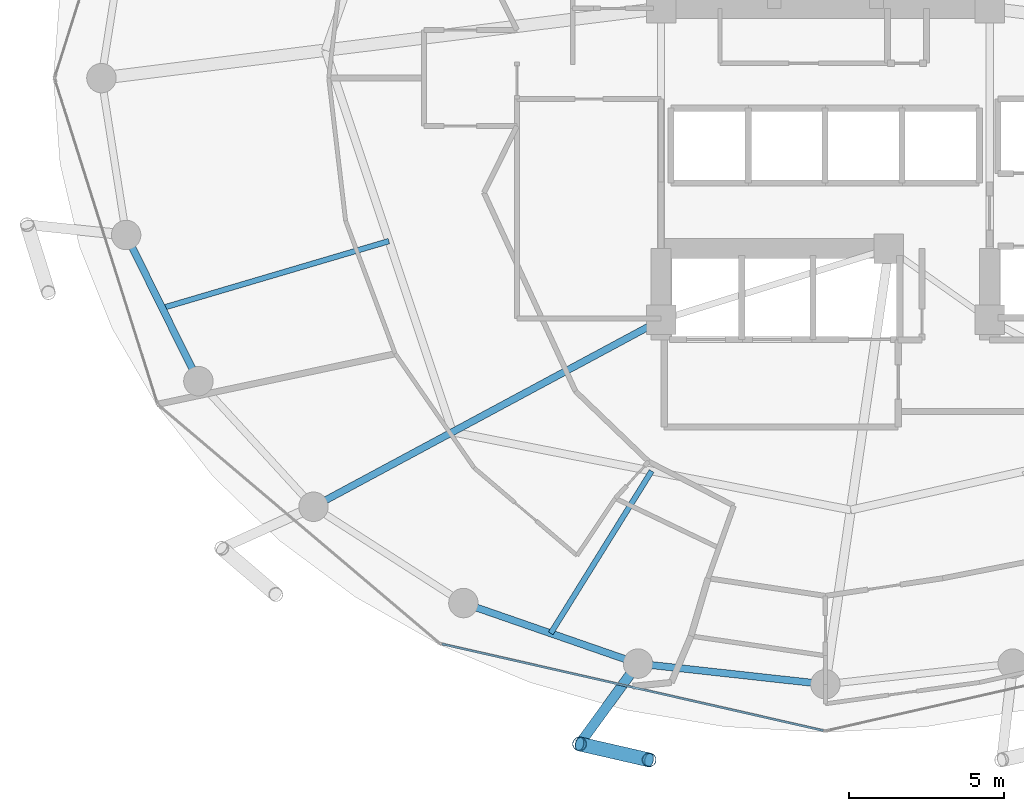
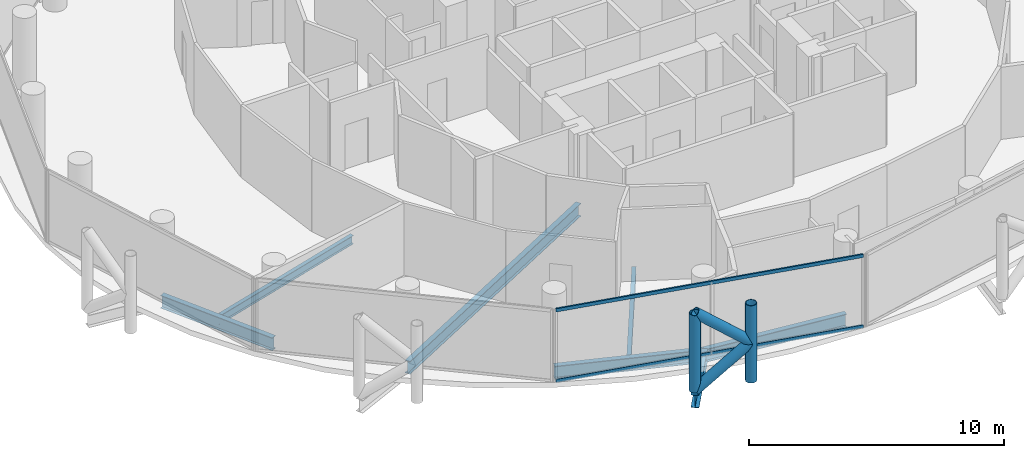
# One storey, part 3 of 26: 7 beams, 6 members, 1 element without a shape of its own.
"""IFC4 building model written with IfcOpenShell, lengths in metres."""

from ifc_helpers import new_model, si_unit, direction, frame, origin, origin_2d, place, context, subcontext, project, spatial, hollow_rectangle, hollow_circle, i_section, extrude, material, layer, layer_set, material_profile, profile_set, type_object, element, aggregate, save


model = new_model("IFC4")

# Units and contexts
model_context = context("Model", 3, precision=1e-05, world=origin(), true_north=direction((0.0, 1.0)))
body_context = subcontext(model_context, "Body", "Model", "MODEL_VIEW")
ifc_project = project(units=[si_unit("LENGTHUNIT", "METRE"), si_unit("AREAUNIT", "SQUARE_METRE"), si_unit("VOLUMEUNIT", "CUBIC_METRE"), si_unit("PLANEANGLEUNIT", "RADIAN"), si_unit("MASSUNIT", "GRAM", prefix="KILO")], contexts=[model_context])

# Site, building, storey
site_placement = place(None, origin())
site = spatial("IfcSite", under=ifc_project, at=site_placement, CompositionType="ELEMENT")
building_placement = place(site_placement, origin())
building = spatial("IfcBuilding", under=site, at=building_placement, Name="Nuhasar Tower", CompositionType="ELEMENT")
storey_placement = place(building_placement, frame((0.0, 0.0, 188.550048828125)))
storey = spatial("IfcBuildingStorey", under=building, at=storey_placement, Name="L46", CompositionType="ELEMENT", Elevation=188.550048828125)

# Beams
ifc_material_1 = material(Name="Steel S355", Category="steel")
ifc_material_profile_1 = material_profile(ifc_material_1, i_section(OverallWidth=0.177978515625, OverallDepth=0.406005859375, WebThickness=0.0078125, FlangeThickness=0.0126953125, at=origin_2d()), Name="W16X40")
ifc_profile_set_1 = profile_set([ifc_material_profile_1], Name="Steel S355")
beam_type_1 = type_object("IfcBeamType", Name="BM-JST-W16X40", PredefinedType="JOIST", material=ifc_profile_set_1)
beam_1_placement = place(storey_placement, frame((33.39697265625, 14.1279296875, -0.453125), z_axis=(-0.528139463011, -0.849157645912, 0.0), x_axis=(0.849157645912, -0.528139463011, 0.0)))
element("IfcBeam", 1, at=beam_1_placement, inside=storey, type_object=beam_type_1, Name="L46 Secondary Floor Joist 01", PredefinedType="JOIST", context=body_context, shape_type="SweptSolid", body=[
    extrude(i_section(OverallWidth=0.177978515625, OverallDepth=0.406005859375, WebThickness=0.0078125, FlangeThickness=0.0126953125, at=origin_2d()), origin(), (0.0, 0.0, 1.0), 6.164794921875),
])
beam_2_placement = place(storey_placement, frame((24.922119140625, 21.54296875, -0.453125), z_axis=(-0.959013356257, -0.283360869775, 0.0), x_axis=(0.283360869775, -0.959013356257, 0.0)))
element("IfcBeam", 2, at=beam_2_placement, inside=storey, type_object=beam_type_1, Name="L46 Secondary Floor Joist 08", PredefinedType="JOIST", context=body_context, shape_type="SweptSolid", body=[
    extrude(i_section(OverallWidth=0.177978515625, OverallDepth=0.406005859375, WebThickness=0.0078125, FlangeThickness=0.0126953125, at=origin_2d()), origin(), (0.0, 0.0, 1.0), 7.62255859375),
])
ifc_material_profile_2 = material_profile(ifc_material_1, i_section(OverallWidth=0.22900390625, OverallDepth=0.612060546875, WebThickness=0.011962890625, FlangeThickness=0.01953125, at=origin_2d()), Name="W24X84")
ifc_profile_set_2 = profile_set([ifc_material_profile_2], Name="Steel S355")
beam_type_2 = type_object("IfcBeamType", Name="BM-RAD-W24X84", PredefinedType="BEAM", material=ifc_profile_set_2)
beam_3_placement = place(storey_placement, frame((33.699951171875, 19.0, -0.55615234375), z_axis=(-0.880888386928, -0.473324043098, 0.0), x_axis=(0.473324043098, -0.880888386928, 0.0)))
element("IfcBeam", 3, at=beam_3_placement, inside=storey, type_object=beam_type_2, Name="L46 Radial Floor Girder 01", PredefinedType="BEAM", context=body_context, shape_type="SweptSolid", body=[
    extrude(i_section(OverallWidth=0.22900390625, OverallDepth=0.612060546875, WebThickness=0.011962890625, FlangeThickness=0.01953125, at=origin_2d()), origin(), (0.0, 0.0, 1.0), 12.726806640625),
])
ifc_material_profile_3 = material_profile(ifc_material_1, i_section(OverallWidth=0.22998046875, OverallDepth=0.616943359375, WebThickness=0.01318359375, FlangeThickness=0.022216796875, at=origin_2d()), Name="W24X94")
ifc_profile_set_3 = profile_set([ifc_material_profile_3], Name="Steel S355")
beam_type_3 = type_object("IfcBeamType", Name="BM-RING-W24X94", PredefinedType="SPANDREL", material=ifc_profile_set_3)
beam_4_placement = place(storey_placement, frame((16.446044921875, 21.739990234375, -0.55810546875), z_axis=(0.443329327657, -0.896358804966, 0.0), x_axis=(0.896358804966, 0.443329327657, 0.0)))
element("IfcBeam", 4, at=beam_4_placement, inside=storey, type_object=beam_type_3, Name="L46 Perimeter Ring Spandrel 14", PredefinedType="SPANDREL", context=body_context, shape_type="SweptSolid", body=[
    extrude(i_section(OverallWidth=0.22998046875, OverallDepth=0.616943359375, WebThickness=0.01318359375, FlangeThickness=0.022216796875, at=origin_2d()), origin(), (0.0, 0.0, 1.0), 5.26025390625),
])
beam_5_placement = place(storey_placement, frame((27.324951171875, 9.868896484375, -0.55810546875), z_axis=(0.944814057608, -0.327607076458, 0.0), x_axis=(0.327607076458, 0.944814057608, 0.0)))
element("IfcBeam", 5, at=beam_5_placement, inside=storey, type_object=beam_type_3, Name="L46 Perimeter Ring Spandrel 17", PredefinedType="SPANDREL", context=body_context, shape_type="SweptSolid", body=[
    extrude(i_section(OverallWidth=0.22998046875, OverallDepth=0.616943359375, WebThickness=0.01318359375, FlangeThickness=0.022216796875, at=origin_2d()), origin(), (0.0, 0.0, 1.0), 5.9609375),
])
beam_6_placement = place(storey_placement, frame((32.95703125, 7.916015625, -0.55810546875), z_axis=(0.993981289157, -0.109549974015, 0.0), x_axis=(0.109549974015, 0.993981289157, 0.0)))
element("IfcBeam", 6, at=beam_6_placement, inside=storey, type_object=beam_type_3, Name="L46 Perimeter Ring Spandrel 18", PredefinedType="SPANDREL", context=body_context, shape_type="SweptSolid", body=[
    extrude(i_section(OverallWidth=0.22998046875, OverallDepth=0.616943359375, WebThickness=0.01318359375, FlangeThickness=0.022216796875, at=origin_2d()), origin(), (0.0, 0.0, 1.0), 6.07958984375),
])
ifc_material_profile_4 = material_profile(ifc_material_1, i_section(OverallWidth=0.323974609375, OverallDepth=0.611083984375, WebThickness=0.0126953125, FlangeThickness=0.01904296875, at=origin_2d()), Name="W24X104")
ifc_profile_set_4 = profile_set([ifc_material_profile_4], Name="Steel S355")
beam_type_4 = type_object("IfcBeamType", Name="BM-TIE-W24X104", PredefinedType="BEAM", material=ifc_profile_set_4)
beam_7_placement = place(storey_placement, frame((32.95703125, 7.916015625, -0.554931640625), z_axis=(-0.588149050751, -0.808752554309, 0.0), x_axis=(0.808752554309, -0.588149050751, 0.0)))
element("IfcBeam", 7, at=beam_7_placement, inside=storey, type_object=beam_type_4, Name="L46 Exoskeleton Node Tie Beam 09", PredefinedType="BEAM", context=body_context, shape_type="SweptSolid", body=[
    extrude(i_section(OverallWidth=0.323974609375, OverallDepth=0.611083984375, WebThickness=0.0126953125, FlangeThickness=0.01904296875, at=origin_2d()), origin(), (0.0, 0.0, 1.0), 3.205078125),
])

# Curtain wall, members
ifc_material_2 = material(Name="Aluminium 6063-T6", Category="aluminium")
ifc_layer = layer(ifc_material_2, 0.199951171875)
ifc_layer_set = layer_set([ifc_layer], Name="Aluminium 6063-T6")
curtain_wall_type = type_object("IfcCurtainWallType", Name="CW-Z2-HTL", PredefinedType="NOTDEFINED", material=ifc_layer_set)
curtain_wall_placement = place(storey_placement, origin())
curtain_wall = element("IfcCurtainWall", 8, at=curtain_wall_placement, inside=storey, type_object=curtain_wall_type, Name="L46 Unitised Curtain Wall 09", PredefinedType="NOTDEFINED")
ifc_material_profile_5 = material_profile(ifc_material_2, hollow_rectangle(XDim=0.070068359375, YDim=0.159912109375, WallThickness=0.00439453125, at=origin_2d()), Name="CWT-3")
ifc_profile_set_5 = profile_set([ifc_material_profile_5], Name="Aluminium 6063-T6")
member_type_1 = type_object("IfcMemberType", Name="CW-TRN-S3", PredefinedType="USERDEFINED", material=ifc_profile_set_5)
member_1_placement = place(storey_placement, frame((26.63818359375, 8.54638671875, 0.034912109375), z_axis=(0.975187615691, -0.221380022142, 0.0), x_axis=(0.221380022142, 0.975187615691, 0.0)))
member_1 = element("IfcMember", 9, at=member_1_placement, type_object=member_type_1, Name="CW-Z2 transom 1.1", ObjectType="TRANSOM", PredefinedType="USERDEFINED", context=body_context, shape_type="SweptSolid", body=[
    extrude(hollow_rectangle(XDim=0.070068359375, YDim=0.159912109375, WallThickness=0.00439453125, at=origin_2d()), origin(), (0.0, 0.0, 1.0), 12.606201171875),
])
member_2_placement = place(storey_placement, frame((26.63818359375, 8.54638671875, 3.4150390625), z_axis=(0.975187615691, -0.221380022142, 0.0), x_axis=(0.221380022142, 0.975187615691, 0.0)))
member_2 = element("IfcMember", 10, at=member_2_placement, type_object=member_type_1, Name="CW-Z2 transom 1.2", ObjectType="TRANSOM", PredefinedType="USERDEFINED", context=body_context, shape_type="SweptSolid", body=[
    extrude(hollow_rectangle(XDim=0.070068359375, YDim=0.159912109375, WallThickness=0.00439453125, at=origin_2d()), origin(), (0.0, 0.0, 1.0), 12.606201171875),
])
aggregate(curtain_wall, [member_1, member_2])

# Members
ifc_material_3 = material(Name="Steel S460", Category="steel")
ifc_material_profile_6 = material_profile(ifc_material_3, hollow_circle(Radius=0.228515625, WallThickness=0.022216796875, at=origin_2d()), Name="HSS457X22.2")
ifc_profile_set_6 = profile_set([ifc_material_profile_6], Name="Steel S460")
member_type_2 = type_object("IfcMemberType", Name="EXO-BRONZE-457", PredefinedType="BRACE", material=ifc_profile_set_6)
for number, where, z_axis, x_axis, name in (
    (11, (31.072021484375, 5.323974609375, 0.0), (0.0, 0.0, 1.0), (1.0, 0.0, 0.0), "L46 Exoskeleton Chord Column EC-09A"),
    (12, (33.31396484375, 4.81005859375, 0.0), (0.0, 0.0, 1.0), (1.0, 0.0, 0.0), "L46 Exoskeleton Chord Column EC-09B"),
):
    element("IfcMember", number, at=place(storey_placement, frame(where, z_axis=z_axis, x_axis=x_axis)), inside=storey, type_object=member_type_2, Name=name, PredefinedType="BRACE", context=body_context, shape_type="SweptSolid", body=[
        extrude(hollow_circle(Radius=0.228515625, WallThickness=0.022216796875, at=origin_2d()), origin(), (0.0, 0.0, 1.0), 3.699951171875),
    ])
member_3_placement = place(storey_placement, frame((31.072021484375, 5.323974609375, 0.0), z_axis=(0.759549860492, -0.174110035537, 0.626713415327), x_axis=(0.223432882746, 0.974719316987, 0.0)))
element("IfcMember", 13, at=member_3_placement, inside=storey, type_object=member_type_2, Name="L46 Bronze Diagrid Brace W1-09", PredefinedType="BRACE", context=body_context, shape_type="SweptSolid", body=[
    extrude(hollow_circle(Radius=0.228515625, WallThickness=0.022216796875, at=origin_2d()), origin(), (0.0, 0.0, 1.0), 2.95166015625),
])
member_4_placement = place(storey_placement, frame((33.31396484375, 4.81005859375, 1.849853515625), z_axis=(-0.759510488094, 0.174101010284, 0.626763637022), x_axis=(-0.223432882746, -0.974719316987, 0.0)))
element("IfcMember", 14, at=member_4_placement, inside=storey, type_object=member_type_2, Name="L46 Bronze Diagrid Brace W2-09", PredefinedType="BRACE", context=body_context, shape_type="SweptSolid", body=[
    extrude(hollow_circle(Radius=0.228515625, WallThickness=0.022216796875, at=origin_2d()), origin(), (0.0, 0.0, 1.0), 2.951904296875),
])

save(model, "model.ifc")
